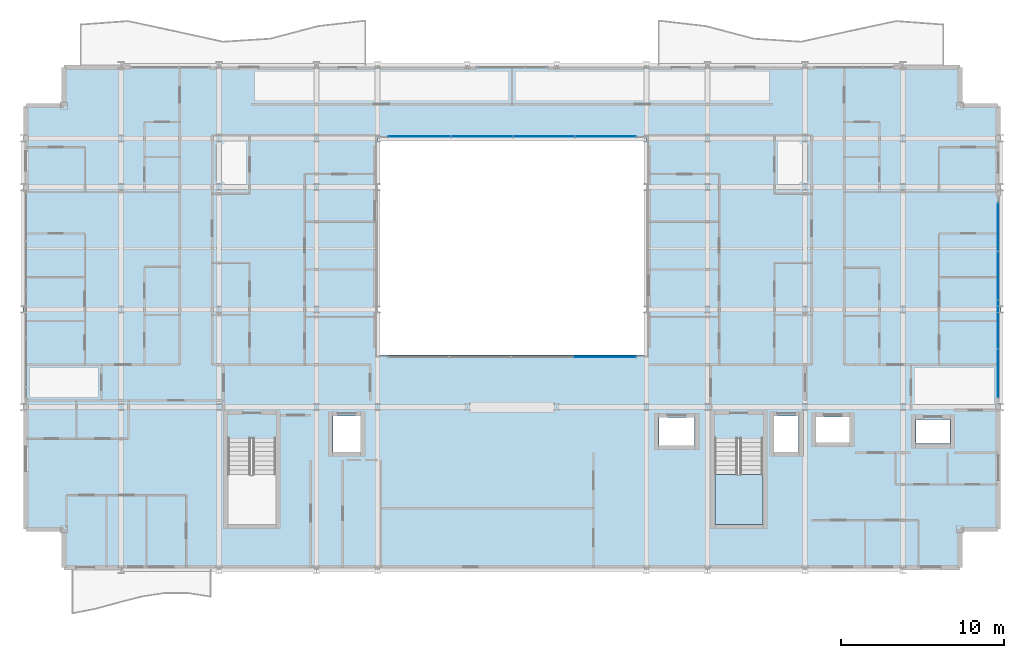
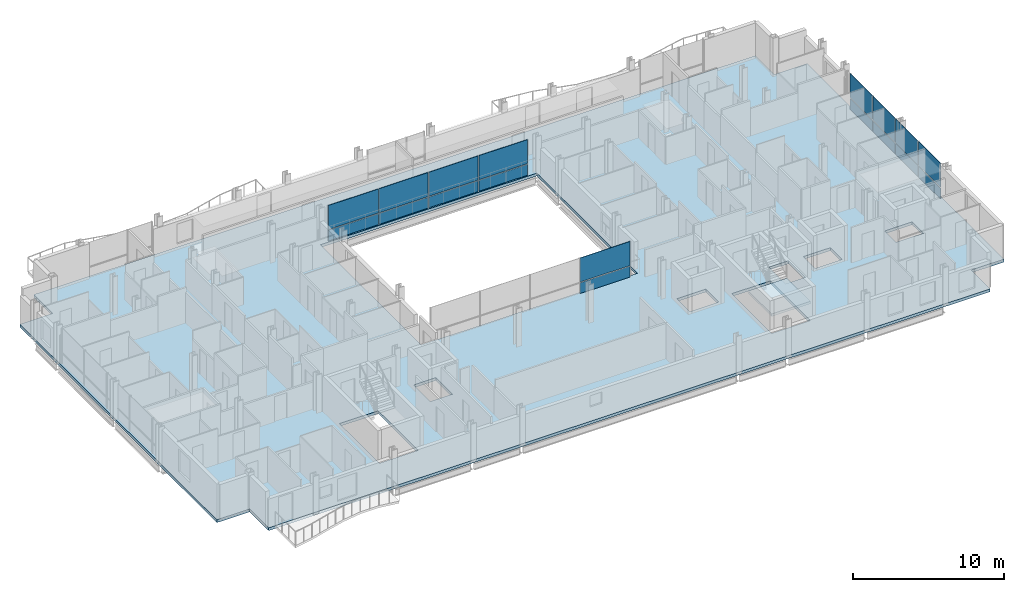
# One storey, part 27 of 41: 18 plates, 2 slabs, 4 elements without a shape of their own.
"""IFC4 building model written with IfcOpenShell, lengths in metres."""

from ifc_helpers import new_model, si_unit, direction, frame, origin, origin_2d, place, context, subcontext, project, spatial, polyline, rectangle, outline, extrude, material, layer, layer_set, type_object, element, aggregate, save


model = new_model("IFC4")

# Units and contexts
model_context = context("Model", 3, precision=1e-05, world=origin(), true_north=direction((0.0, 1.0)))
body_context = subcontext(model_context, "Body", "Model", "MODEL_VIEW")
ifc_project = project(units=[si_unit("LENGTHUNIT", "METRE"), si_unit("AREAUNIT", "SQUARE_METRE"), si_unit("VOLUMEUNIT", "CUBIC_METRE"), si_unit("PLANEANGLEUNIT", "RADIAN"), si_unit("MASSUNIT", "GRAM", prefix="KILO")], contexts=[model_context])

# Site, building, storey
site_placement = place(None, origin())
site = spatial("IfcSite", under=ifc_project, at=site_placement, CompositionType="ELEMENT")
building_placement = place(site_placement, origin())
building = spatial("IfcBuilding", under=site, at=building_placement, Name="Brevholm Reach", CompositionType="ELEMENT")
storey_placement = place(building_placement, frame((0.0, 0.0, 74.5)))
storey = spatial("IfcBuildingStorey", under=building, at=storey_placement, Name="L21", CompositionType="ELEMENT", Elevation=74.5)

# Curtain wall, plates
ifc_material_1 = material(Name="Dark Anodised Aluminium 6063-T6 and Solar-Control Glass", Category="aluminium")
ifc_layer_1 = layer(ifc_material_1, 0.14990234375)
ifc_layer_set_1 = layer_set([ifc_layer_1], Name="Dark Anodised Aluminium 6063-T6 and Solar-Control Glass")
curtain_wall_type_1 = type_object("IfcCurtainWallType", Name="CW-01", PredefinedType="NOTDEFINED", material=ifc_layer_set_1)
curtain_wall_1_placement = place(storey_placement, origin())
curtain_wall_1 = element("IfcCurtainWall", 1, at=curtain_wall_1_placement, inside=storey, type_object=curtain_wall_type_1, Name="L21 Curtain Wall CW-01", PredefinedType="NOTDEFINED")
ifc_material_2 = material(Name="Dark Solar-Control Double-Glazed IGU Glass", Category="glass")
ifc_layer_2 = layer(ifc_material_2, 0.028076171875)
ifc_layer_set_2 = layer_set([ifc_layer_2], Name="Dark Solar-Control Double-Glazed IGU Glass")
plate_type_1 = type_object("IfcPlateType", Name="CWP-GLZ-28", PredefinedType="CURTAIN_PANEL", material=ifc_layer_set_2)
plate_1_placement = place(storey_placement, frame((59.85009765625, 12.066162109375, 0.0), z_axis=(0.0, 0.0, 1.0), x_axis=(0.0, 1.0, 0.0)))
plate_1 = element("IfcPlate", 2, at=plate_1_placement, type_object=plate_type_1, Name="CP-01 Glazing Panel 1.1", PredefinedType="CURTAIN_PANEL", context=body_context, shape_type="SweptSolid", body=[
    extrude(rectangle(XDim=2.902587890625, YDim=0.028076171875, at=origin_2d()), origin(), (0.0, 0.0, 1.0), 0.867431640625),
])
plate_2_placement = place(storey_placement, frame((59.85009765625, 12.066162109375, 0.9326171875), z_axis=(0.0, 0.0, 1.0), x_axis=(0.0, 1.0, 0.0)))
plate_2 = element("IfcPlate", 3, at=plate_2_placement, type_object=plate_type_1, Name="CP-01 Glazing Panel 1.2", PredefinedType="CURTAIN_PANEL", context=body_context, shape_type="SweptSolid", body=[
    extrude(rectangle(XDim=2.902587890625, YDim=0.028076171875, at=origin_2d()), origin(), (0.0, 0.0, 1.0), 1.9375),
])
plate_3_placement = place(storey_placement, frame((59.85009765625, 15.050048828125, 0.0), z_axis=(0.0, 0.0, 1.0), x_axis=(0.0, 1.0, 0.0)))
plate_3 = element("IfcPlate", 4, at=plate_3_placement, type_object=plate_type_1, Name="CP-01 Glazing Panel 2.1", PredefinedType="CURTAIN_PANEL", context=body_context, shape_type="SweptSolid", body=[
    extrude(rectangle(XDim=2.93505859375, YDim=0.028076171875, at=origin_2d()), origin(), (0.0, 0.0, 1.0), 0.867431640625),
])
plate_4_placement = place(storey_placement, frame((59.85009765625, 15.050048828125, 0.9326171875), z_axis=(0.0, 0.0, 1.0), x_axis=(0.0, 1.0, 0.0)))
plate_4 = element("IfcPlate", 5, at=plate_4_placement, type_object=plate_type_1, Name="CP-01 Glazing Panel 2.2", PredefinedType="CURTAIN_PANEL", context=body_context, shape_type="SweptSolid", body=[
    extrude(rectangle(XDim=2.93505859375, YDim=0.028076171875, at=origin_2d()), origin(), (0.0, 0.0, 1.0), 1.9375),
])
plate_5_placement = place(storey_placement, frame((59.85009765625, 18.050048828125, 0.0), z_axis=(0.0, 0.0, 1.0), x_axis=(0.0, 1.0, 0.0)))
plate_5 = element("IfcPlate", 6, at=plate_5_placement, type_object=plate_type_1, Name="CP-01 Glazing Panel 3.1", PredefinedType="CURTAIN_PANEL", context=body_context, shape_type="SweptSolid", body=[
    extrude(rectangle(XDim=2.93505859375, YDim=0.028076171875, at=origin_2d()), origin(), (0.0, 0.0, 1.0), 0.867431640625),
])
plate_6_placement = place(storey_placement, frame((59.85009765625, 18.050048828125, 0.9326171875), z_axis=(0.0, 0.0, 1.0), x_axis=(0.0, 1.0, 0.0)))
plate_6 = element("IfcPlate", 7, at=plate_6_placement, type_object=plate_type_1, Name="CP-01 Glazing Panel 3.2", PredefinedType="CURTAIN_PANEL", context=body_context, shape_type="SweptSolid", body=[
    extrude(rectangle(XDim=2.93505859375, YDim=0.028076171875, at=origin_2d()), origin(), (0.0, 0.0, 1.0), 1.9375),
])
plate_7_placement = place(storey_placement, frame((59.85009765625, 21.050048828125, 0.0), z_axis=(0.0, 0.0, 1.0), x_axis=(0.0, 1.0, 0.0)))
plate_7 = element("IfcPlate", 8, at=plate_7_placement, type_object=plate_type_1, Name="CP-01 Glazing Panel 4.1", PredefinedType="CURTAIN_PANEL", context=body_context, shape_type="SweptSolid", body=[
    extrude(rectangle(XDim=2.93505859375, YDim=0.028076171875, at=origin_2d()), origin(), (0.0, 0.0, 1.0), 0.867431640625),
])
plate_8_placement = place(storey_placement, frame((59.85009765625, 21.050048828125, 0.9326171875), z_axis=(0.0, 0.0, 1.0), x_axis=(0.0, 1.0, 0.0)))
plate_8 = element("IfcPlate", 9, at=plate_8_placement, type_object=plate_type_1, Name="CP-01 Glazing Panel 4.2", PredefinedType="CURTAIN_PANEL", context=body_context, shape_type="SweptSolid", body=[
    extrude(rectangle(XDim=2.93505859375, YDim=0.028076171875, at=origin_2d()), origin(), (0.0, 0.0, 1.0), 1.9375),
])
aggregate(curtain_wall_1, [plate_1, plate_2, plate_3, plate_4, plate_5, plate_6, plate_7, plate_8])

ifc_material_3 = material(Name="Dark Anodised Aluminium 6063-T6 and Solar-Control Glass", Category="aluminium")
ifc_layer_3 = layer(ifc_material_3, 0.139892578125)
ifc_layer_set_3 = layer_set([ifc_layer_3], Name="Dark Anodised Aluminium 6063-T6 and Solar-Control Glass")
curtain_wall_type_2 = type_object("IfcCurtainWallType", Name="CW-02", PredefinedType="NOTDEFINED", material=ifc_layer_set_3)
curtain_wall_2_placement = place(storey_placement, origin())
curtain_wall_2 = element("IfcCurtainWall", 10, at=curtain_wall_2_placement, inside=storey, type_object=curtain_wall_type_2, Name="L21 Curtain Wall CW-02", PredefinedType="NOTDEFINED")
ifc_material_4 = material(Name="Low-Iron Laminated Acoustic Glass", Category="glass")
ifc_layer_4 = layer(ifc_material_4, 0.035888671875)
ifc_layer_set_4 = layer_set([ifc_layer_4], Name="Low-Iron Laminated Acoustic Glass")
plate_type_2 = type_object("IfcPlateType", Name="CWP-GLZ-36", PredefinedType="CURTAIN_PANEL", material=ifc_layer_set_4)
plate_9_placement = place(storey_placement, frame((35.68505859375, 13.080078125, 0.0), z_axis=(0.0, 0.0, 1.0), x_axis=(1.0, 0.0, 0.0)))
plate_9 = element("IfcPlate", 11, at=plate_9_placement, type_object=plate_type_2, Name="CP-02 Glazing Panel 4.1", PredefinedType="CURTAIN_PANEL", context=body_context, shape_type="SweptSolid", body=[
    extrude(rectangle(XDim=3.81005859375, YDim=0.035888671875, at=origin_2d()), origin(), (0.0, 0.0, 1.0), 0.8701171875),
])
plate_10_placement = place(storey_placement, frame((35.68505859375, 13.080078125, 0.929931640625), z_axis=(0.0, 0.0, 1.0), x_axis=(1.0, 0.0, 0.0)))
plate_10 = element("IfcPlate", 12, at=plate_10_placement, type_object=plate_type_2, Name="CP-02 Glazing Panel 4.2", PredefinedType="CURTAIN_PANEL", context=body_context, shape_type="SweptSolid", body=[
    extrude(rectangle(XDim=3.81005859375, YDim=0.035888671875, at=origin_2d()), origin(), (0.0, 0.0, 1.0), 1.93994140625),
])
aggregate(curtain_wall_2, [plate_9, plate_10])

curtain_wall_3_placement = place(storey_placement, origin())
curtain_wall_3 = element("IfcCurtainWall", 13, at=curtain_wall_3_placement, inside=storey, type_object=curtain_wall_type_2, Name="L21 Curtain Wall CW-02", PredefinedType="NOTDEFINED")
plate_11_placement = place(storey_placement, frame((35.735107421875, 26.6201171875, 0.0), z_axis=(0.0, 0.0, 1.0), x_axis=(-1.0, 0.0, 0.0)))
plate_11 = element("IfcPlate", 14, at=plate_11_placement, type_object=plate_type_2, Name="CP-02 Glazing Panel 1.1", PredefinedType="CURTAIN_PANEL", context=body_context, shape_type="SweptSolid", body=[
    extrude(rectangle(XDim=3.7099609375, YDim=0.035888671875, at=origin_2d()), origin(), (0.0, 0.0, 1.0), 0.8701171875),
])
plate_12_placement = place(storey_placement, frame((35.735107421875, 26.6201171875, 0.929931640625), z_axis=(0.0, 0.0, 1.0), x_axis=(-1.0, 0.0, 0.0)))
plate_12 = element("IfcPlate", 15, at=plate_12_placement, type_object=plate_type_2, Name="CP-02 Glazing Panel 1.2", PredefinedType="CURTAIN_PANEL", context=body_context, shape_type="SweptSolid", body=[
    extrude(rectangle(XDim=3.7099609375, YDim=0.035888671875, at=origin_2d()), origin(), (0.0, 0.0, 1.0), 1.93994140625),
])
plate_13_placement = place(storey_placement, frame((31.949951171875, 26.6201171875, 0.0), z_axis=(0.0, 0.0, 1.0), x_axis=(-1.0, 0.0, 0.0)))
plate_13 = element("IfcPlate", 16, at=plate_13_placement, type_object=plate_type_2, Name="CP-02 Glazing Panel 2.1", PredefinedType="CURTAIN_PANEL", context=body_context, shape_type="SweptSolid", body=[
    extrude(rectangle(XDim=3.739990234375, YDim=0.035888671875, at=origin_2d()), origin(), (0.0, 0.0, 1.0), 0.8701171875),
])
plate_14_placement = place(storey_placement, frame((31.949951171875, 26.6201171875, 0.929931640625), z_axis=(0.0, 0.0, 1.0), x_axis=(-1.0, 0.0, 0.0)))
plate_14 = element("IfcPlate", 17, at=plate_14_placement, type_object=plate_type_2, Name="CP-02 Glazing Panel 2.2", PredefinedType="CURTAIN_PANEL", context=body_context, shape_type="SweptSolid", body=[
    extrude(rectangle(XDim=3.739990234375, YDim=0.035888671875, at=origin_2d()), origin(), (0.0, 0.0, 1.0), 1.93994140625),
])
plate_15_placement = place(storey_placement, frame((28.14990234375, 26.6201171875, 0.0), z_axis=(0.0, 0.0, 1.0), x_axis=(-1.0, 0.0, 0.0)))
plate_15 = element("IfcPlate", 18, at=plate_15_placement, type_object=plate_type_2, Name="CP-02 Glazing Panel 3.1", PredefinedType="CURTAIN_PANEL", context=body_context, shape_type="SweptSolid", body=[
    extrude(rectangle(XDim=3.739990234375, YDim=0.035888671875, at=origin_2d()), origin(), (0.0, 0.0, 1.0), 0.8701171875),
])
plate_16_placement = place(storey_placement, frame((28.14990234375, 26.6201171875, 0.929931640625), z_axis=(0.0, 0.0, 1.0), x_axis=(-1.0, 0.0, 0.0)))
plate_16 = element("IfcPlate", 19, at=plate_16_placement, type_object=plate_type_2, Name="CP-02 Glazing Panel 3.2", PredefinedType="CURTAIN_PANEL", context=body_context, shape_type="SweptSolid", body=[
    extrude(rectangle(XDim=3.739990234375, YDim=0.035888671875, at=origin_2d()), origin(), (0.0, 0.0, 1.0), 1.93994140625),
])
plate_17_placement = place(storey_placement, frame((24.31494140625, 26.6201171875, 0.0), z_axis=(0.0, 0.0, 1.0), x_axis=(-1.0, 0.0, 0.0)))
plate_17 = element("IfcPlate", 20, at=plate_17_placement, type_object=plate_type_2, Name="CP-02 Glazing Panel 4.1", PredefinedType="CURTAIN_PANEL", context=body_context, shape_type="SweptSolid", body=[
    extrude(rectangle(XDim=3.81005859375, YDim=0.035888671875, at=origin_2d()), origin(), (0.0, 0.0, 1.0), 0.8701171875),
])
plate_18_placement = place(storey_placement, frame((24.31494140625, 26.6201171875, 0.929931640625), z_axis=(0.0, 0.0, 1.0), x_axis=(-1.0, 0.0, 0.0)))
plate_18 = element("IfcPlate", 21, at=plate_18_placement, type_object=plate_type_2, Name="CP-02 Glazing Panel 4.2", PredefinedType="CURTAIN_PANEL", context=body_context, shape_type="SweptSolid", body=[
    extrude(rectangle(XDim=3.81005859375, YDim=0.035888671875, at=origin_2d()), origin(), (0.0, 0.0, 1.0), 1.93994140625),
])
aggregate(curtain_wall_3, [plate_11, plate_12, plate_13, plate_14, plate_15, plate_16, plate_17, plate_18])

# Slab
ifc_material_5 = material(Name="Concrete C40/50", Category="concrete")
ifc_layer_5 = layer(ifc_material_5, 0.22998046875)
ifc_layer_set_5 = layer_set([ifc_layer_5], Name="Concrete C40/50")
slab_type_1 = type_object("IfcSlabType", Name="SLB-FL-230", PredefinedType="FLOOR", material=ifc_layer_set_5)
slab_1_placement = place(storey_placement, frame((0.0, 0.0, -0.22998046875)))
element("IfcSlab", 22, at=slab_1_placement, inside=storey, type_object=slab_type_1, Name="L21 Suspended Floor Slab (main)", PredefinedType="FLOOR", context=body_context, shape_type="SweptSolid", body=[
    extrude(outline(polyline([(2.5, 0.0), (57.5, 0.0), (57.5, 2.5), (60.0, 2.5), (60.0, 28.5), (57.5, 28.5), (57.5, 31.0), (2.5, 31.0), (2.5, 28.5), (0.0, 28.5), (0.0, 2.5), (2.5, 2.5), (2.5, 0.0)]), holes=[polyline([(21.75, 13.199951171875), (38.25, 13.199951171875), (38.25, 26.5), (21.75, 26.5), (21.75, 13.199951171875)]), polyline([(12.550048828125, 2.780029296875), (15.5, 2.780029296875), (15.5, 8.044921875), (12.550048828125, 8.044921875), (12.550048828125, 2.780029296875)]), polyline([(42.449951171875, 2.780029296875), (45.39990234375, 2.780029296875), (45.39990234375, 8.044921875), (42.449951171875, 8.044921875), (42.449951171875, 2.780029296875)]), polyline([(19.0, 7.25), (20.699951171875, 7.25), (20.699951171875, 9.449951171875), (19.0, 9.449951171875), (19.0, 7.25)]), polyline([(46.10009765625, 7.25), (47.60009765625, 7.25), (47.60009765625, 9.449951171875), (46.10009765625, 9.449951171875), (46.10009765625, 7.25)]), polyline([(48.675048828125, 7.824951171875), (50.72509765625, 7.824951171875), (50.72509765625, 9.375), (48.675048828125, 9.375), (48.675048828125, 7.824951171875)]), polyline([(54.800048828125, 7.75), (56.89990234375, 7.75), (56.89990234375, 9.25), (54.800048828125, 9.25), (54.800048828125, 7.75)]), polyline([(39.02001953125, 7.64990234375), (41.219970703125, 7.64990234375), (41.219970703125, 9.35009765625), (39.02001953125, 9.35009765625), (39.02001953125, 7.64990234375)])]), origin(), (0.0, 0.0, 1.0), 0.22998046875),
])

# Stair, slab
ifc_material_6 = material(Name="Precast Concrete C40/50", Category="concrete")
stair_type = type_object("IfcStairType", Name="STR-ESC-1400", PredefinedType="DOUBLE_RETURN_STAIR", material=ifc_material_6)
stair_placement = place(storey_placement, origin())
stair = element("IfcStair", 23, at=stair_placement, inside=storey, type_object=stair_type, Name="L21 ST-2", PredefinedType="DOUBLE_RETURN_STAIR")
ifc_material_7 = material(Name="Concrete C40/50", Category="concrete")
ifc_layer_6 = layer(ifc_material_7, 0.199951171875)
ifc_layer_set_6 = layer_set([ifc_layer_6], Name="Concrete C40/50")
slab_type_2 = type_object("IfcSlabType", Name="SLB-LND-200", PredefinedType="LANDING", material=ifc_layer_set_6)
slab_2_placement = place(storey_placement, frame((0.0, 0.0, 1.35009765625)))
slab_2 = element("IfcSlab", 24, at=slab_2_placement, type_object=slab_type_2, Name="ST-2 landing 1", PredefinedType="LANDING", context=body_context, shape_type="SweptSolid", body=[
    extrude(outline(polyline([(42.449951171875, 5.860107421875), (42.449951171875, 2.780029296875), (45.39990234375, 2.780029296875), (45.39990234375, 5.860107421875), (42.449951171875, 5.860107421875)])), origin(), (0.0, 0.0, 1.0), 0.199951171875),
])
aggregate(stair, [slab_2])

save(model, "model.ifc")
